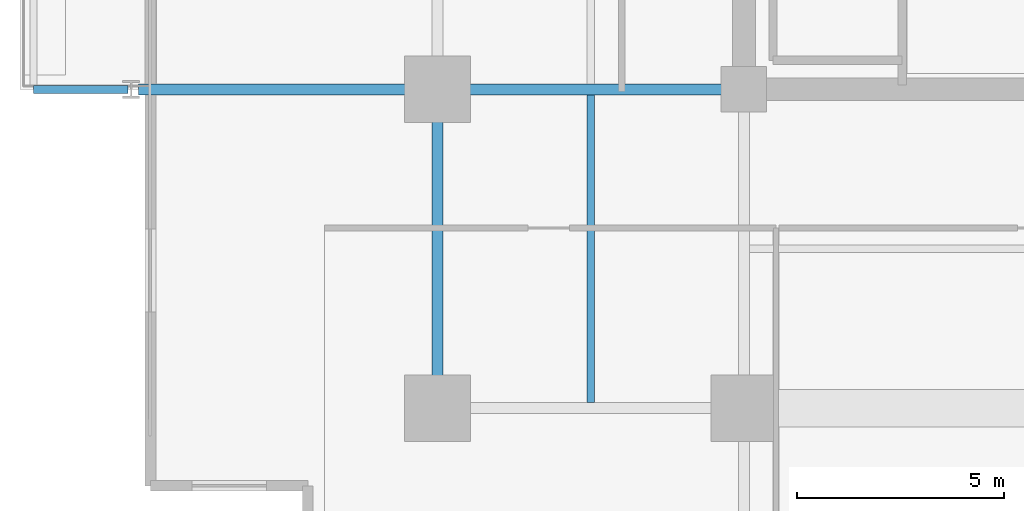
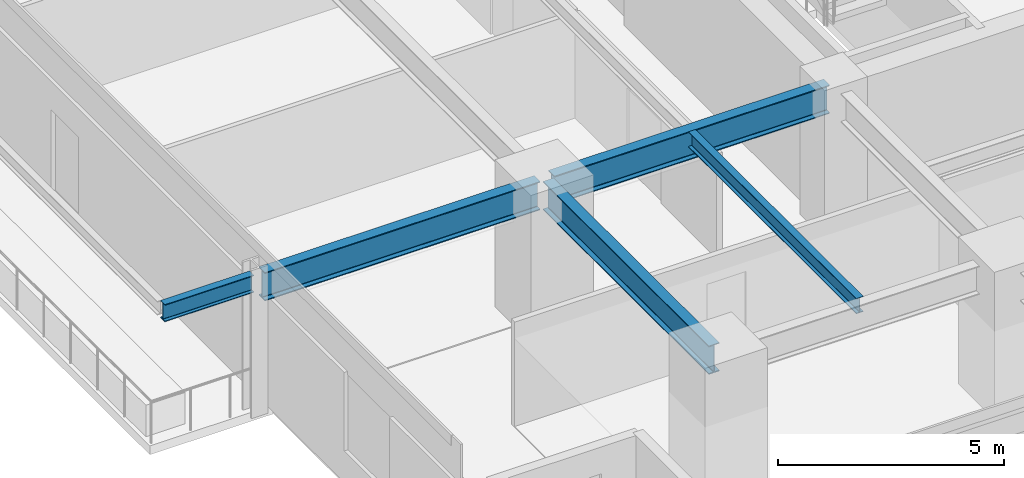
# One storey, part 3 of 20: 5 beams.
"""IFC4 building model written with IfcOpenShell, lengths in metres."""

from ifc_helpers import new_model, si_unit, direction, frame, origin, origin_2d, place, context, subcontext, project, spatial, i_section, extrude, material, material_profile, profile_set, type_object, element, save


model = new_model("IFC4")

# Units and contexts
model_context = context("Model", 3, precision=1e-05, world=origin(), true_north=direction((0.0, 1.0)))
body_context = subcontext(model_context, "Body", "Model", "MODEL_VIEW")
ifc_project = project(units=[si_unit("LENGTHUNIT", "METRE"), si_unit("AREAUNIT", "SQUARE_METRE"), si_unit("VOLUMEUNIT", "CUBIC_METRE"), si_unit("PLANEANGLEUNIT", "RADIAN"), si_unit("MASSUNIT", "GRAM", prefix="KILO")], contexts=[model_context])

# Site, building, storey
site_placement = place(None, origin())
site = spatial("IfcSite", under=ifc_project, at=site_placement, CompositionType="ELEMENT")
building_placement = place(site_placement, origin())
building = spatial("IfcBuilding", under=site, at=building_placement, Name="Kovane Verandah Tower", CompositionType="ELEMENT")
storey_placement = place(building_placement, frame((0.0, 0.0, 164.39990234375)))
storey = spatial("IfcBuildingStorey", under=building, at=storey_placement, Name="L38", CompositionType="ELEMENT", Elevation=164.39990234375)

# Beams
ifc_material = material(Name="Steel S355", Category="steel")
ifc_material_profile_1 = material_profile(ifc_material, i_section(OverallWidth=0.26806640625, OverallDepth=0.769775390625, WebThickness=0.015625, FlangeThickness=0.025390625, FilletRadius=0.0166015625, at=origin_2d()), Name="UB762x267x197")
ifc_profile_set_1 = profile_set([ifc_material_profile_1], Name="Steel S355")
beam_type_1 = type_object("IfcBeamType", Name="BM-UB762x197", PredefinedType="BEAM", material=ifc_profile_set_1)
beam_1_placement = place(storey_placement, frame((21.60009765625, 10.97998046875, 3.39013671875), z_axis=(0.0, 1.0, 0.0), x_axis=(-1.0, 0.0, 0.0)))
element("IfcBeam", 1, at=beam_1_placement, inside=storey, type_object=beam_type_1, Name="L38 Primary Tower Girder G-RW1", PredefinedType="BEAM", context=body_context, shape_type="SweptSolid", body=[
    extrude(i_section(OverallWidth=0.26806640625, OverallDepth=0.769775390625, WebThickness=0.015625, FlangeThickness=0.025390625, FilletRadius=0.0166015625, at=origin_2d()), origin(), (0.0, 0.0, 1.0), 7.340087890625),
])
for number, where, z_axis, x_axis, name in (
    (2, (28.820068359375, 18.5, 3.39013671875), (-1.0, 0.0, 0.0), (0.0, -1.0, 0.0), "L38 Primary Tower Girder G-W1"),
    (3, (21.419921875, 18.5, 3.375244140625), (-1.0, 0.0, 0.0), (0.0, -1.0, 0.0), "L38 Primary Tower Girder G-VW1"),
):
    element("IfcBeam", number, at=place(storey_placement, frame(where, z_axis=z_axis, x_axis=x_axis)), inside=storey, type_object=beam_type_1, Name=name, PredefinedType="BEAM", context=body_context, shape_type="SweptSolid", body=[
        extrude(i_section(OverallWidth=0.26806640625, OverallDepth=0.769775390625, WebThickness=0.015625, FlangeThickness=0.025390625, FilletRadius=0.0166015625, at=origin_2d()), origin(), (0.0, 0.0, 1.0), 7.0400390625),
    ])
ifc_material_profile_2 = material_profile(ifc_material, i_section(OverallWidth=0.179443359375, OverallDepth=0.412841796875, WebThickness=0.009521484375, FlangeThickness=0.01611328125, FilletRadius=0.01025390625, at=origin_2d()), Name="UB406x178x74")
ifc_profile_set_2 = profile_set([ifc_material_profile_2], Name="Steel S355")
beam_type_2 = type_object("IfcBeamType", Name="JST-UB406x74", PredefinedType="JOIST", material=ifc_profile_set_2)
beam_2_placement = place(storey_placement, frame((25.300048828125, 10.931884765625, 3.568603515625), z_axis=(0.0, 1.0, 0.0), x_axis=(-1.0, 0.0, 0.0)))
element("IfcBeam", 4, at=beam_2_placement, inside=storey, type_object=beam_type_2, Name="L38 Secondary Composite Joist J-SW1", PredefinedType="JOIST", context=body_context, shape_type="SweptSolid", body=[
    extrude(i_section(OverallWidth=0.179443359375, OverallDepth=0.412841796875, WebThickness=0.009521484375, FlangeThickness=0.01611328125, FilletRadius=0.01025390625, at=origin_2d()), origin(), (0.0, 0.0, 1.0), 7.43603515625),
])
ifc_material_profile_3 = material_profile(ifc_material, i_section(OverallWidth=0.19287109375, OverallDepth=0.46728515625, WebThickness=0.011474609375, FlangeThickness=0.01953125, FilletRadius=0.01025390625, at=origin_2d()), Name="UB457x191x98")
ifc_profile_set_3 = profile_set([ifc_material_profile_3], Name="Steel S355")
beam_type_3 = type_object("IfcBeamType", Name="JST-UB457x98", PredefinedType="JOIST", material=ifc_profile_set_3)
beam_3_placement = place(storey_placement, frame((14.1201171875, 18.5, 3.526611328125), z_axis=(-1.0, 0.0, 0.0), x_axis=(0.0, -1.0, 0.0)))
element("IfcBeam", 5, at=beam_3_placement, inside=storey, type_object=beam_type_3, Name="L38 West Planter Girder 1", PredefinedType="JOIST", context=body_context, shape_type="SweptSolid", body=[
    extrude(i_section(OverallWidth=0.19287109375, OverallDepth=0.46728515625, WebThickness=0.011474609375, FlangeThickness=0.01953125, FilletRadius=0.01025390625, at=origin_2d()), origin(), (0.0, 0.0, 1.0), 2.2734375),
])

save(model, "model.ifc")
